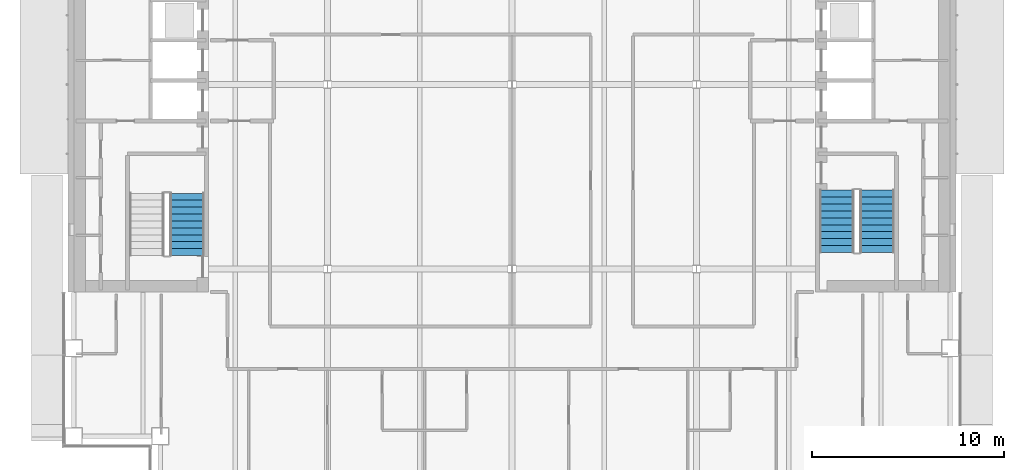
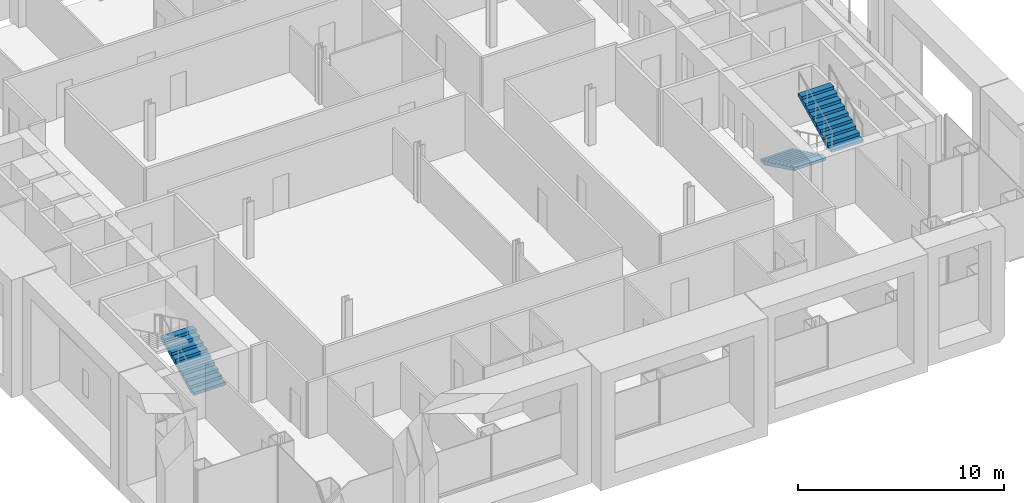
# One storey, part 14 of 20: 3 stair flights, 2 elements without a shape of their own.
"""IFC4 building model written with IfcOpenShell, lengths in metres."""

from ifc_helpers import new_model, si_unit, direction, frame, origin, place, context, subcontext, project, spatial, polyline, outline, extrude, material, type_object, element, aggregate, save


model = new_model("IFC4")

# Units and contexts
model_context = context("Model", 3, precision=1e-05, world=origin(), true_north=direction((0.0, 1.0)))
body_context = subcontext(model_context, "Body", "Model", "MODEL_VIEW")
ifc_project = project(units=[si_unit("LENGTHUNIT", "METRE"), si_unit("AREAUNIT", "SQUARE_METRE"), si_unit("VOLUMEUNIT", "CUBIC_METRE"), si_unit("PLANEANGLEUNIT", "RADIAN"), si_unit("MASSUNIT", "GRAM", prefix="KILO")], contexts=[model_context])

# Site, building, storey
site_placement = place(None, origin())
site = spatial("IfcSite", under=ifc_project, at=site_placement, CompositionType="ELEMENT")
building_placement = place(site_placement, origin())
building = spatial("IfcBuilding", under=site, at=building_placement, Name="Cobrizo Arcos Hotel Tower", CompositionType="ELEMENT")
storey_placement = place(building_placement, frame((0.0, 0.0, 110.0)))
storey = spatial("IfcBuildingStorey", under=building, at=storey_placement, Name="L27", CompositionType="ELEMENT", Elevation=110.0)

# Stair, stair flight
ifc_material = material(Name="Concrete f'c 40 MPa", Category="concrete")
stair_type = type_object("IfcStairType", Name="Exit stair", PredefinedType="HALF_TURN_STAIR", material=ifc_material)
stair_1_placement = place(storey_placement, origin())
stair_1 = element("IfcStair", 1, at=stair_1_placement, inside=storey, type_object=stair_type, Name="L27 Exit stair ST-W", PredefinedType="HALF_TURN_STAIR")
stair_flight_type = type_object("IfcStairFlightType", Name="Exit stair flight", PredefinedType="STRAIGHT", material=ifc_material)
stair_flight_1_placement = place(storey_placement, frame((-16.89990234375, -8.89990234375, 0.0), z_axis=(0.0, 0.0, 1.0), x_axis=(0.0, 1.0, 0.0)))
stair_flight_1 = element("IfcStairFlight", 2, at=stair_flight_1_placement, type_object=stair_flight_type, Name="ST-W flight 1", NumberOfRisers=10, NumberOfTreads=9, PredefinedType="STRAIGHT", RiserHeight=0.175, TreadLength=0.36, context=body_context, shape_type="SweptSolid", body=[
    extrude(outline(polyline([(0.0, 0.0), (0.0, 0.175048828125), (0.360107421875, 0.175048828125), (0.360107421875, 0.35009765625), (0.719970703125, 0.35009765625), (0.719970703125, 0.52490234375), (1.080078125, 0.52490234375), (1.080078125, 0.699951171875), (1.43994140625, 0.699951171875), (1.43994140625, 0.875), (1.800048828125, 0.875), (1.800048828125, 1.050048828125), (2.159912109375, 1.050048828125), (2.159912109375, 1.22509765625), (2.52001953125, 1.22509765625), (2.52001953125, 1.39990234375), (2.8798828125, 1.39990234375), (2.8798828125, 1.574951171875), (3.239990234375, 1.574951171875), (3.239990234375, 1.75), (3.239990234375, 1.408203125), (0.3427734375, 0.0), (0.0, 0.0)])), frame((0.0, 0.89990234375, 0.0), z_axis=(0.0, -1.0, 0.0), x_axis=(1.0, 0.0, 0.0)), (0.0, 0.0, 1.0), 1.800048828125),
])
aggregate(stair_1, [stair_flight_1])

# Stair, stair flights
stair_2_placement = place(storey_placement, origin())
stair_2 = element("IfcStair", 3, at=stair_2_placement, inside=storey, type_object=stair_type, Name="L27 Exit stair ST-E", PredefinedType="HALF_TURN_STAIR")
stair_flight_2_placement = place(storey_placement, frame((16.89990234375, -5.5, 0.0), z_axis=(0.0, 0.0, 1.0), x_axis=(0.0, -1.0, 0.0)))
stair_flight_2 = element("IfcStairFlight", 4, at=stair_flight_2_placement, type_object=stair_flight_type, Name="ST-E flight 1", NumberOfRisers=10, NumberOfTreads=9, PredefinedType="STRAIGHT", RiserHeight=0.175, TreadLength=0.36, context=body_context, shape_type="SweptSolid", body=[
    extrude(outline(polyline([(0.0, 0.0), (0.0, 0.175048828125), (0.360107421875, 0.175048828125), (0.360107421875, 0.35009765625), (0.719970703125, 0.35009765625), (0.719970703125, 0.52490234375), (1.080078125, 0.52490234375), (1.080078125, 0.699951171875), (1.43994140625, 0.699951171875), (1.43994140625, 0.875), (1.800048828125, 0.875), (1.800048828125, 1.050048828125), (2.159912109375, 1.050048828125), (2.159912109375, 1.22509765625), (2.52001953125, 1.22509765625), (2.52001953125, 1.39990234375), (2.8798828125, 1.39990234375), (2.8798828125, 1.574951171875), (3.239990234375, 1.574951171875), (3.239990234375, 1.75), (3.239990234375, 1.408203125), (0.3427734375, 0.0), (0.0, 0.0)])), frame((0.0, 0.89990234375, 0.0), z_axis=(0.0, -1.0, 0.0), x_axis=(1.0, 0.0, 0.0)), (0.0, 0.0, 1.0), 1.800048828125),
])
stair_flight_3_placement = place(storey_placement, frame((19.0, -8.739990234375, 1.75), z_axis=(0.0, 0.0, 1.0), x_axis=(0.0, 1.0, 0.0)))
stair_flight_3 = element("IfcStairFlight", 5, at=stair_flight_3_placement, type_object=stair_flight_type, Name="ST-E flight 2", NumberOfRisers=10, NumberOfTreads=9, PredefinedType="STRAIGHT", RiserHeight=0.175, TreadLength=0.36, context=body_context, shape_type="SweptSolid", body=[
    extrude(outline(polyline([(0.0, 0.0), (0.0, 0.175048828125), (0.360107421875, 0.175048828125), (0.360107421875, 0.35009765625), (0.719970703125, 0.35009765625), (0.719970703125, 0.52490234375), (1.080078125, 0.52490234375), (1.080078125, 0.699951171875), (1.43994140625, 0.699951171875), (1.43994140625, 0.875), (1.800048828125, 0.875), (1.800048828125, 1.050048828125), (2.159912109375, 1.050048828125), (2.159912109375, 1.22509765625), (2.52001953125, 1.22509765625), (2.52001953125, 1.39990234375), (2.8798828125, 1.39990234375), (2.8798828125, 1.574951171875), (3.239990234375, 1.574951171875), (3.239990234375, 1.75), (3.239990234375, 1.408203125), (0.3427734375, 0.0), (0.0, 0.0)])), frame((0.0, 0.89990234375, 0.0), z_axis=(0.0, -1.0, 0.0), x_axis=(1.0, 0.0, 0.0)), (0.0, 0.0, 1.0), 1.800048828125),
])
aggregate(stair_2, [stair_flight_2, stair_flight_3])

save(model, "model.ifc")
